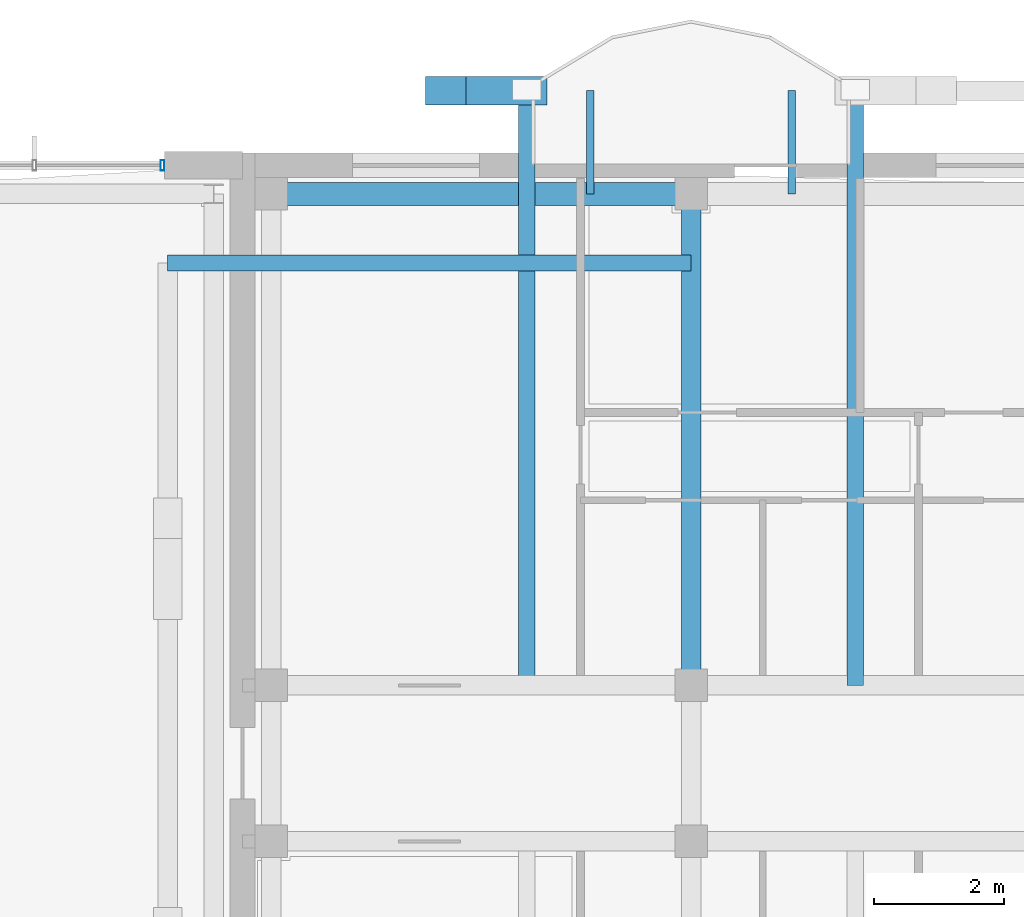
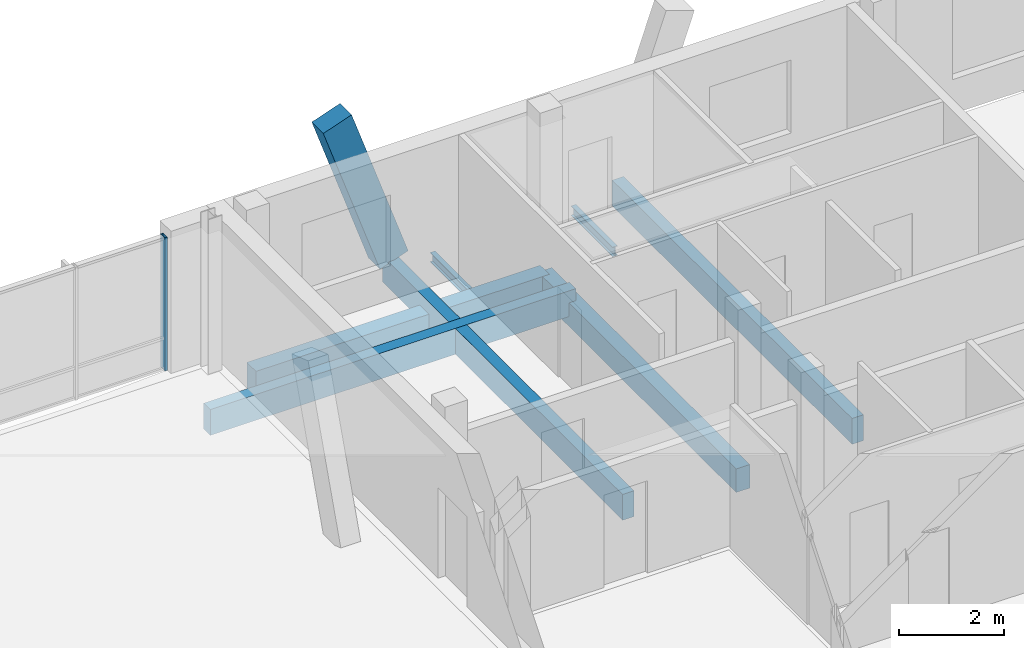
# One storey, part 106 of 189: 7 beams, 2 members, 1 element without a shape of its own.
"""IFC4 building model written with IfcOpenShell, lengths in metres."""

from ifc_helpers import new_model, si_unit, direction, frame, origin, origin_2d, place, context, subcontext, project, spatial, rectangle, hollow_rectangle, i_section, extrude, material, material_profile, profile_set, type_object, element, aggregate, save


model = new_model("IFC4")

# Units and contexts
model_context = context("Model", 3, precision=1e-05, world=origin(), true_north=direction((0.0, 1.0)))
body_context = subcontext(model_context, "Body", "Model", "MODEL_VIEW")
ifc_project = project(units=[si_unit("LENGTHUNIT", "METRE"), si_unit("AREAUNIT", "SQUARE_METRE"), si_unit("VOLUMEUNIT", "CUBIC_METRE"), si_unit("PLANEANGLEUNIT", "RADIAN"), si_unit("MASSUNIT", "GRAM", prefix="KILO")], contexts=[model_context])

# Site, building, storey
site_placement = place(None, origin())
site = spatial("IfcSite", under=ifc_project, at=site_placement, CompositionType="ELEMENT")
building_placement = place(site_placement, origin())
building = spatial("IfcBuilding", under=site, at=building_placement, Name="Zavelmont Quarter", CompositionType="ELEMENT")
storey_placement = place(building_placement, frame((0.0, 0.0, 4.39990234375)))
storey = spatial("IfcBuildingStorey", under=building, at=storey_placement, Name="L01", CompositionType="ELEMENT", Elevation=4.39990234375)

# Beams
ifc_material_1 = material(Name="Concrete C35/45", Category="concrete")
ifc_material_profile_1 = material_profile(ifc_material_1, rectangle(XDim=0.35009765625, YDim=0.60009765625, at=origin_2d()), Name="RC350X600")
ifc_profile_set_1 = profile_set([ifc_material_profile_1], Name="Concrete C35/45")
beam_type_1 = type_object("IfcBeamType", Name="BM01", PredefinedType="SPANDREL", material=ifc_profile_set_1)
beam_1_placement = place(storey_placement, frame((113.239990234375, 115.56005859375, -0.579833984375), z_axis=(1.0, 0.0, 0.0), x_axis=(0.0, 1.0, 0.0)))
element("IfcBeam", 1, at=beam_1_placement, inside=storey, type_object=beam_type_1, Name="L01 beam BM01 17/S to 18/S", PredefinedType="SPANDREL", context=body_context, shape_type="SweptSolid", body=[
    extrude(rectangle(XDim=0.35009765625, YDim=0.60009765625, at=origin_2d()), origin(), (0.0, 0.0, 1.0), 6.4599609375),
])
ifc_material_profile_2 = material_profile(ifc_material_1, rectangle(XDim=0.300048828125, YDim=0.550048828125, at=origin_2d()), Name="RC300X550")
ifc_profile_set_2 = profile_set([ifc_material_profile_2], Name="Concrete C35/45")
beam_type_2 = type_object("IfcBeamType", Name="BM02", PredefinedType="SPANDREL", material=ifc_profile_set_2)
beam_2_placement = place(storey_placement, frame((119.699951171875, 108.0, -0.554931640625), z_axis=(0.0, 1.0, 0.0), x_axis=(-1.0, 0.0, 0.0)))
element("IfcBeam", 2, at=beam_2_placement, inside=storey, type_object=beam_type_2, Name="L01 beam BM02 18/R to 18/S", PredefinedType="SPANDREL", context=body_context, shape_type="SweptSolid", body=[
    extrude(rectangle(XDim=0.300048828125, YDim=0.550048828125, at=origin_2d()), origin(), (0.0, 0.0, 1.0), 7.56005859375),
])
ifc_material_2 = material(Name="Steel S355", Category="steel")
ifc_material_profile_3 = material_profile(ifc_material_2, i_section(OverallWidth=0.110107421875, OverallDepth=0.219970703125, WebThickness=0.005859375, FlangeThickness=0.00927734375, at=origin_2d()), Name="IPE 220")
ifc_profile_set_3 = profile_set([ifc_material_profile_3], Name="Steel S355")
beam_type_3 = type_object("IfcBeamType", Name="BM15", PredefinedType="JOIST", material=ifc_profile_set_3)
for number, where, z_axis, x_axis, name in (
    (3, (118.14990234375, 115.56005859375, -0.391845703125), (0.0, 1.0, 0.0), (-1.0, 0.0, 0.0), "L01 beam BM15 18/S to 18/S"),
    (4, (121.25, 115.56005859375, -0.391845703125), (0.0, 1.0, 0.0), (-1.0, 0.0, 0.0), "L01 beam BM15 18/S to 18/S"),
):
    element("IfcBeam", number, at=place(storey_placement, frame(where, z_axis=z_axis, x_axis=x_axis)), inside=storey, type_object=beam_type_3, Name=name, PredefinedType="JOIST", context=body_context, shape_type="SweptSolid", body=[
        extrude(i_section(OverallWidth=0.110107421875, OverallDepth=0.219970703125, WebThickness=0.005859375, FlangeThickness=0.00927734375, at=origin_2d()), origin(), (0.0, 0.0, 1.0), 1.58984375),
    ])
ifc_material_3 = material(Name="Concrete C40/50", Category="concrete")
ifc_material_profile_4 = material_profile(ifc_material_3, rectangle(XDim=0.25, YDim=0.60009765625, at=origin_2d()), Name="RC250X600")
ifc_profile_set_4 = profile_set([ifc_material_profile_4], Name="Concrete C40/50")
beam_type_4 = type_object("IfcBeamType", Name="BM18", PredefinedType="BEAM", material=ifc_profile_set_4)
for number, where, z_axis, x_axis, name in (
    (5, (117.17333984375, 108.0, -0.2998046875), (0.0, 1.0, 0.0), (-1.0, 0.0, 0.0), "L01 beam BM18 18/R to 18/S"),
    (6, (122.2265625, 108.0, -0.2998046875), (0.0, 1.0, 0.0), (-1.0, 0.0, 0.0), "L01 beam BM18 18/R to 18/S"),
):
    element("IfcBeam", number, at=place(storey_placement, frame(where, z_axis=z_axis, x_axis=x_axis)), inside=storey, type_object=beam_type_4, Name=name, PredefinedType="BEAM", context=body_context, shape_type="SweptSolid", body=[
        extrude(rectangle(XDim=0.25, YDim=0.60009765625, at=origin_2d()), origin(), (0.0, 0.0, 1.0), 9.14990234375),
    ])
beam_3_placement = place(storey_placement, frame((119.699951171875, 114.5, -0.2998046875), z_axis=(-1.0, 0.0, 0.0), x_axis=(0.0, -1.0, 0.0)))
element("IfcBeam", 7, at=beam_3_placement, inside=storey, type_object=beam_type_4, Name="L01 beam BM18 18/S to 17/S", PredefinedType="BEAM", context=body_context, shape_type="SweptSolid", body=[
    extrude(rectangle(XDim=0.25, YDim=0.60009765625, at=origin_2d()), origin(), (0.0, 0.0, 1.0), 8.050048828125),
])

# Curtain wall, member
ifc_material_4 = material(Name="Thermally broken aluminium and double low-E safety glazing", Category="aluminium")
curtain_wall_type = type_object("IfcCurtainWallType", Name="CW-600X310", PredefinedType="NOTDEFINED", material=ifc_material_4)
curtain_wall_placement = place(storey_placement, origin())
curtain_wall = element("IfcCurtainWall", 8, at=curtain_wall_placement, inside=storey, type_object=curtain_wall_type, Name="L01 unitised curtain wall CW-600X310", PredefinedType="NOTDEFINED")
ifc_material_5 = material(Name="Powder-coated aluminium EN AW-6063-T6", Category="aluminium")
ifc_material_profile_5 = material_profile(ifc_material_5, hollow_rectangle(XDim=0.06005859375, YDim=0.159912109375, WallThickness=0.00390625, at=origin_2d()), Name="CWM60X160")
ifc_profile_set_5 = profile_set([ifc_material_profile_5], Name="Powder-coated aluminium EN AW-6063-T6")
member_type_1 = type_object("IfcMemberType", Name="CWM01", PredefinedType="MULLION", material=ifc_profile_set_5)
member_1_placement = place(storey_placement, frame((111.570068359375, 116.0, 0.0), z_axis=(0.0, 0.0, 1.0), x_axis=(1.0, 0.0, 0.0)))
member_1 = element("IfcMember", 9, at=member_1_placement, type_object=member_type_1, Name="CW-600X310 mullion 4", PredefinedType="MULLION", context=body_context, shape_type="SweptSolid", body=[
    extrude(hollow_rectangle(XDim=0.06005859375, YDim=0.159912109375, WallThickness=0.00390625, at=origin_2d()), origin(), (0.0, 0.0, 1.0), 3.10009765625),
])
aggregate(curtain_wall, [member_1])

# Member
ifc_material_6 = material(Name="White architectural precast concrete C40/50", Category="concrete")
ifc_material_profile_6 = material_profile(ifc_material_6, rectangle(XDim=0.43994140625, YDim=0.659912109375, at=origin_2d()), Name="PCR320X480")
ifc_profile_set_6 = profile_set([ifc_material_profile_6], Name="White architectural precast concrete C40/50")
member_type_2 = type_object("IfcMemberType", Name="VR01M", PredefinedType="CHORD", material=ifc_profile_set_6)
member_2_placement = place(storey_placement, frame((117.17333984375, 117.14990234375, 0.0), z_axis=(-0.327431859499, 0.0, 0.944874794555), x_axis=(0.0, -1.0, 0.0)))
element("IfcMember", 10, at=member_2_placement, inside=storey, type_object=member_type_2, Name="L01 member VR01M 18/S to 17/S", PredefinedType="CHORD", context=body_context, shape_type="SweptSolid", body=[
    extrude(rectangle(XDim=0.43994140625, YDim=0.659912109375, at=origin_2d()), origin(), (0.0, 0.0, 1.0), 3.81005859375),
])

save(model, "model.ifc")
